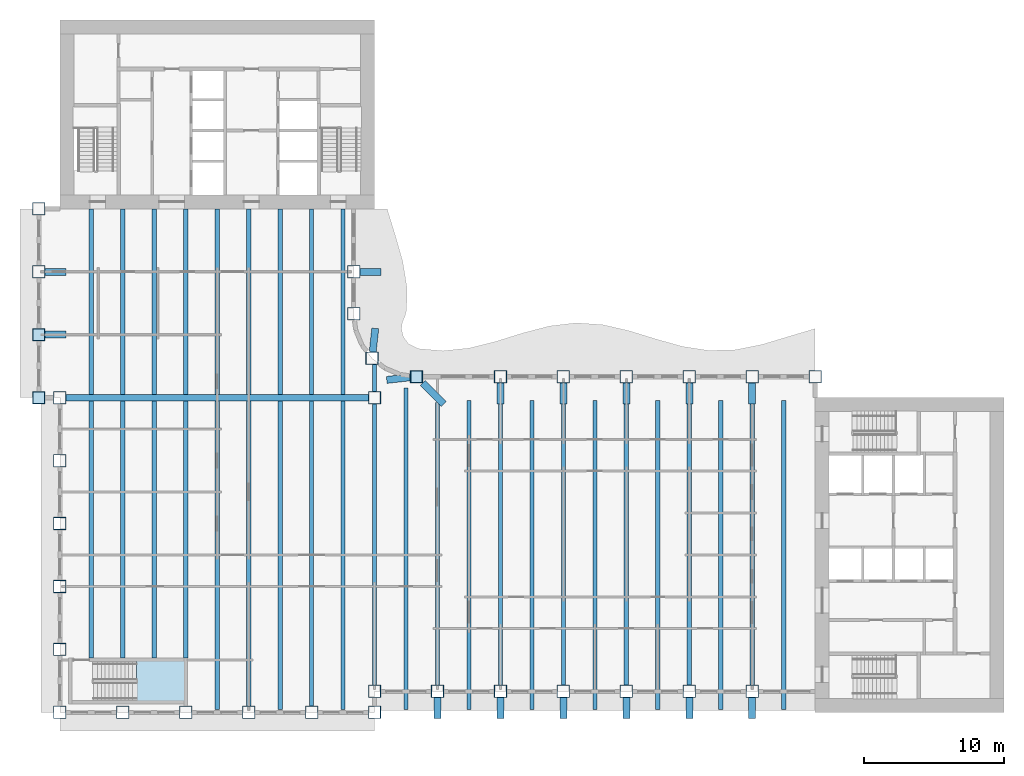
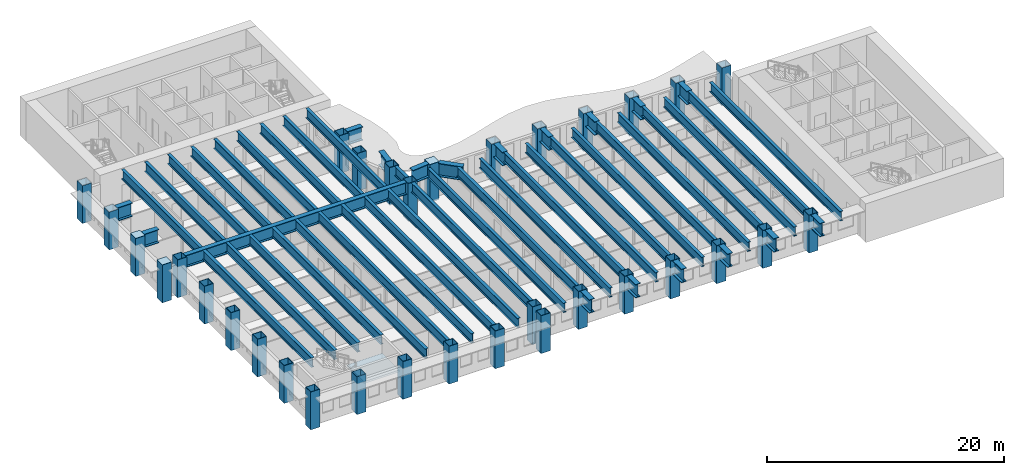
# One storey, part 1 of 16: 51 beams, 33 columns, 3 plates, 1 slab, 1 element without a shape of its own.
"""IFC4 building model written with IfcOpenShell, lengths in metres."""

from ifc_helpers import new_model, si_unit, direction, frame, origin, origin_2d, place, context, subcontext, project, spatial, polyline, rectangle, hollow_rectangle, i_section, outline, extrude, material, layer, layer_set, material_profile, profile_set, type_object, element, aggregate, save


model = new_model("IFC4")

# Units and contexts
model_context = context("Model", 3, precision=1e-05, world=origin(), true_north=direction((0.0, 1.0)))
body_context = subcontext(model_context, "Body", "Model", "MODEL_VIEW")
ifc_project = project(units=[si_unit("LENGTHUNIT", "METRE"), si_unit("AREAUNIT", "SQUARE_METRE"), si_unit("VOLUMEUNIT", "CUBIC_METRE"), si_unit("PLANEANGLEUNIT", "RADIAN"), si_unit("MASSUNIT", "GRAM", prefix="KILO")], contexts=[model_context])

# Site, building, storey
site_placement = place(None, origin())
site = spatial("IfcSite", under=ifc_project, at=site_placement, CompositionType="ELEMENT")
building_placement = place(site_placement, origin())
building = spatial("IfcBuilding", under=site, at=building_placement, Name="Sennacour Bend Tower", CompositionType="ELEMENT")
storey_placement = place(building_placement, frame((0.0, 0.0, 183.0)))
storey = spatial("IfcBuildingStorey", under=building, at=storey_placement, Name="L42", CompositionType="ELEMENT", Elevation=183.0)

# Columns
ifc_material_1 = material(Name="Steel ASTM A572 Grade 50", Category="steel")
ifc_material_profile_1 = material_profile(ifc_material_1, hollow_rectangle(XDim=0.89990234375, YDim=0.89990234375, WallThickness=0.044921875, at=origin_2d()), Name="Steel ASTM A572 Grade 50", Category="steel")
ifc_profile_set_1 = profile_set([ifc_material_profile_1], Name="Steel ASTM A572 Grade 50")
column_type = type_object("IfcColumnType", Name="Box column 900", PredefinedType="COLUMN", material=ifc_profile_set_1)
for number, where, z_axis, x_axis, name in (
    (1, (-1.5, 22.5, -0.14990234375), (0.0, 0.0, 1.0), (1.0, 0.0, 0.0), "Perimeter column C3 L42-001"),
    (2, (-1.5, 27.0, -0.14990234375), (0.0, 0.0, 1.0), (1.0, 0.0, 0.0), "Perimeter column C3 L42-002"),
    (3, (-1.5, 31.5, -0.14990234375), (0.0, 0.0, 1.0), (1.0, 0.0, 0.0), "Perimeter column C3 L42-003"),
    (4, (-1.5, 36.0, -0.14990234375), (0.0, 0.0, 1.0), (1.0, 0.0, 0.0), "Perimeter column C3 L42-004"),
    (5, (0.0, 0.0, -0.14990234375), (0.0, 0.0, 1.0), (1.0, 0.0, 0.0), "Perimeter column C3 L42-005"),
    (6, (0.0, 4.5, -0.14990234375), (0.0, 0.0, 1.0), (1.0, 0.0, 0.0), "Perimeter column C3 L42-006"),
    (7, (0.0, 9.0, -0.14990234375), (0.0, 0.0, 1.0), (1.0, 0.0, 0.0), "Perimeter column C3 L42-007"),
    (8, (0.0, 13.5, -0.14990234375), (0.0, 0.0, 1.0), (1.0, 0.0, 0.0), "Perimeter column C3 L42-008"),
    (9, (0.0, 18.0, -0.14990234375), (0.0, 0.0, 1.0), (1.0, 0.0, 0.0), "Perimeter column C3 L42-009"),
    (10, (0.0, 22.5, -0.14990234375), (0.0, 0.0, 1.0), (1.0, 0.0, 0.0), "Perimeter column C3 L42-010"),
    (11, (4.5, 0.0, -0.14990234375), (0.0, 0.0, 1.0), (1.0, 0.0, 0.0), "Perimeter column C3 L42-011"),
    (12, (9.0, 0.0, -0.14990234375), (0.0, 0.0, 1.0), (1.0, 0.0, 0.0), "Perimeter column C3 L42-012"),
    (13, (13.5, 0.0, -0.14990234375), (0.0, 0.0, 1.0), (1.0, 0.0, 0.0), "Perimeter column C3 L42-013"),
    (14, (18.0, 0.0, -0.14990234375), (0.0, 0.0, 1.0), (1.0, 0.0, 0.0), "Perimeter column C3 L42-014"),
    (15, (21.0, 28.5, -0.14990234375), (0.0, 0.0, 1.0), (1.0, 0.0, 0.0), "Perimeter column C3 L42-015"),
    (16, (21.0, 31.5, -0.14990234375), (0.0, 0.0, 1.0), (1.0, 0.0, 0.0), "Perimeter column C3 L42-016"),
    (17, (22.318115234375, 25.318115234375, -0.14990234375), (0.0, 0.0, 1.0), (1.0, 0.0, 0.0), "Perimeter column C3 L42-017"),
    (18, (22.5, 0.0, -0.14990234375), (0.0, 0.0, 1.0), (1.0, 0.0, 0.0), "Perimeter column C3 L42-018"),
    (19, (22.5, 1.5, -0.14990234375), (0.0, 0.0, 1.0), (1.0, 0.0, 0.0), "Perimeter column C3 L42-019"),
    (20, (22.5, 22.5, -0.14990234375), (0.0, 0.0, 1.0), (1.0, 0.0, 0.0), "Knuckle column C3 L42-020"),
    (21, (25.5, 24.0, -0.14990234375), (0.0, 0.0, 1.0), (1.0, 0.0, 0.0), "Perimeter column C3 L42-021"),
    (22, (27.0, 1.5, -0.14990234375), (0.0, 0.0, 1.0), (1.0, 0.0, 0.0), "Perimeter column C3 L42-022"),
    (23, (31.5, 1.5, -0.14990234375), (0.0, 0.0, 1.0), (1.0, 0.0, 0.0), "Perimeter column C3 L42-023"),
    (24, (31.5, 24.0, -0.14990234375), (0.0, 0.0, 1.0), (1.0, 0.0, 0.0), "Perimeter column C3 L42-024"),
    (25, (36.0, 1.5, -0.14990234375), (0.0, 0.0, 1.0), (1.0, 0.0, 0.0), "Perimeter column C3 L42-025"),
    (26, (36.0, 24.0, -0.14990234375), (0.0, 0.0, 1.0), (1.0, 0.0, 0.0), "Perimeter column C3 L42-026"),
    (27, (40.5, 1.5, -0.14990234375), (0.0, 0.0, 1.0), (1.0, 0.0, 0.0), "Perimeter column C3 L42-027"),
    (28, (40.5, 24.0, -0.14990234375), (0.0, 0.0, 1.0), (1.0, 0.0, 0.0), "Perimeter column C3 L42-028"),
    (29, (45.0, 1.5, -0.14990234375), (0.0, 0.0, 1.0), (1.0, 0.0, 0.0), "Perimeter column C3 L42-029"),
    (30, (45.0, 24.0, -0.14990234375), (0.0, 0.0, 1.0), (1.0, 0.0, 0.0), "Perimeter column C3 L42-030"),
    (31, (49.5, 1.5, -0.14990234375), (0.0, 0.0, 1.0), (1.0, 0.0, 0.0), "Perimeter column C3 L42-031"),
    (32, (49.5, 24.0, -0.14990234375), (0.0, 0.0, 1.0), (1.0, 0.0, 0.0), "Perimeter column C3 L42-032"),
    (33, (54.0, 24.0, -0.14990234375), (0.0, 0.0, 1.0), (1.0, 0.0, 0.0), "Perimeter column C3 L42-033"),
):
    element("IfcColumn", number, at=place(storey_placement, frame(where, z_axis=z_axis, x_axis=x_axis)), inside=storey, type_object=column_type, Name=name, PredefinedType="COLUMN", context=body_context, shape_type="SweptSolid", body=[
        extrude(hollow_rectangle(XDim=0.89990234375, YDim=0.89990234375, WallThickness=0.044921875, at=origin_2d()), origin(), (0.0, 0.0, 1.0), 3.89990234375),
    ])

# Beams
ifc_material_2 = material(Name="Steel ASTM A992 Grade 50", Category="steel")
ifc_material_profile_2 = material_profile(ifc_material_2, i_section(OverallWidth=0.300048828125, OverallDepth=0.97998046875, WebThickness=0.0166015625, FlangeThickness=0.026123046875, FilletRadius=0.02978515625, at=origin_2d()), Name="Steel ASTM A992 Grade 50", Category="steel")
ifc_profile_set_2 = profile_set([ifc_material_profile_2], Name="Steel ASTM A992 Grade 50")
beam_type_1 = type_object("IfcBeamType", Name="Floor beam W1000X249", PredefinedType="BEAM", material=ifc_profile_set_2)
beam_1_placement = place(storey_placement, frame((2.25, 3.875, 3.260009765625), z_axis=(0.0, 1.0, 0.0), x_axis=(-1.0, 0.0, 0.0)))
element("IfcBeam", 34, at=beam_1_placement, inside=storey, type_object=beam_type_1, Name="Floor beam FBM2 L43-001", PredefinedType="BEAM", context=body_context, shape_type="SweptSolid", body=[
    extrude(i_section(OverallWidth=0.300048828125, OverallDepth=0.97998046875, WebThickness=0.0166015625, FlangeThickness=0.026123046875, FilletRadius=0.02978515625, at=origin_2d()), origin(), (0.0, 0.0, 1.0), 18.39990234375),
])
beam_2_placement = place(storey_placement, frame((2.25, 22.72509765625, 3.260009765625), z_axis=(0.0, 1.0, 0.0), x_axis=(-1.0, 0.0, 0.0)))
element("IfcBeam", 35, at=beam_2_placement, inside=storey, type_object=beam_type_1, Name="Floor beam FBM2 L43-002", PredefinedType="BEAM", context=body_context, shape_type="SweptSolid", body=[
    extrude(i_section(OverallWidth=0.300048828125, OverallDepth=0.97998046875, WebThickness=0.0166015625, FlangeThickness=0.026123046875, FilletRadius=0.02978515625, at=origin_2d()), origin(), (0.0, 0.0, 1.0), 13.27490234375),
])
beam_3_placement = place(storey_placement, frame((4.5, 3.875, 3.260009765625), z_axis=(0.0, 1.0, 0.0), x_axis=(-1.0, 0.0, 0.0)))
element("IfcBeam", 36, at=beam_3_placement, inside=storey, type_object=beam_type_1, Name="Floor beam FBM2 L43-003", PredefinedType="BEAM", context=body_context, shape_type="SweptSolid", body=[
    extrude(i_section(OverallWidth=0.300048828125, OverallDepth=0.97998046875, WebThickness=0.0166015625, FlangeThickness=0.026123046875, FilletRadius=0.02978515625, at=origin_2d()), origin(), (0.0, 0.0, 1.0), 18.39990234375),
])
beam_4_placement = place(storey_placement, frame((4.5, 22.72509765625, 3.260009765625), z_axis=(0.0, 1.0, 0.0), x_axis=(-1.0, 0.0, 0.0)))
element("IfcBeam", 37, at=beam_4_placement, inside=storey, type_object=beam_type_1, Name="Floor beam FBM2 L43-004", PredefinedType="BEAM", context=body_context, shape_type="SweptSolid", body=[
    extrude(i_section(OverallWidth=0.300048828125, OverallDepth=0.97998046875, WebThickness=0.0166015625, FlangeThickness=0.026123046875, FilletRadius=0.02978515625, at=origin_2d()), origin(), (0.0, 0.0, 1.0), 13.27490234375),
])
beam_5_placement = place(storey_placement, frame((6.75, 3.875, 3.260009765625), z_axis=(0.0, 1.0, 0.0), x_axis=(-1.0, 0.0, 0.0)))
element("IfcBeam", 38, at=beam_5_placement, inside=storey, type_object=beam_type_1, Name="Floor beam FBM2 L43-005", PredefinedType="BEAM", context=body_context, shape_type="SweptSolid", body=[
    extrude(i_section(OverallWidth=0.300048828125, OverallDepth=0.97998046875, WebThickness=0.0166015625, FlangeThickness=0.026123046875, FilletRadius=0.02978515625, at=origin_2d()), origin(), (0.0, 0.0, 1.0), 18.39990234375),
])
beam_6_placement = place(storey_placement, frame((6.75, 22.72509765625, 3.260009765625), z_axis=(0.0, 1.0, 0.0), x_axis=(-1.0, 0.0, 0.0)))
element("IfcBeam", 39, at=beam_6_placement, inside=storey, type_object=beam_type_1, Name="Floor beam FBM2 L43-006", PredefinedType="BEAM", context=body_context, shape_type="SweptSolid", body=[
    extrude(i_section(OverallWidth=0.300048828125, OverallDepth=0.97998046875, WebThickness=0.0166015625, FlangeThickness=0.026123046875, FilletRadius=0.02978515625, at=origin_2d()), origin(), (0.0, 0.0, 1.0), 13.27490234375),
])
beam_7_placement = place(storey_placement, frame((9.0, 3.875, 3.260009765625), z_axis=(0.0, 1.0, 0.0), x_axis=(-1.0, 0.0, 0.0)))
element("IfcBeam", 40, at=beam_7_placement, inside=storey, type_object=beam_type_1, Name="Floor beam FBM2 L43-007", PredefinedType="BEAM", context=body_context, shape_type="SweptSolid", body=[
    extrude(i_section(OverallWidth=0.300048828125, OverallDepth=0.97998046875, WebThickness=0.0166015625, FlangeThickness=0.026123046875, FilletRadius=0.02978515625, at=origin_2d()), origin(), (0.0, 0.0, 1.0), 18.39990234375),
])
beam_8_placement = place(storey_placement, frame((9.0, 22.72509765625, 3.260009765625), z_axis=(0.0, 1.0, 0.0), x_axis=(-1.0, 0.0, 0.0)))
element("IfcBeam", 41, at=beam_8_placement, inside=storey, type_object=beam_type_1, Name="Floor beam FBM2 L43-008", PredefinedType="BEAM", context=body_context, shape_type="SweptSolid", body=[
    extrude(i_section(OverallWidth=0.300048828125, OverallDepth=0.97998046875, WebThickness=0.0166015625, FlangeThickness=0.026123046875, FilletRadius=0.02978515625, at=origin_2d()), origin(), (0.0, 0.0, 1.0), 13.27490234375),
])
beam_9_placement = place(storey_placement, frame((11.25, 0.20947265625, 3.260009765625), z_axis=(0.0, 1.0, 0.0), x_axis=(-1.0, 0.0, 0.0)))
element("IfcBeam", 42, at=beam_9_placement, inside=storey, type_object=beam_type_1, Name="Floor beam FBM2 L43-009", PredefinedType="BEAM", context=body_context, shape_type="SweptSolid", body=[
    extrude(i_section(OverallWidth=0.300048828125, OverallDepth=0.97998046875, WebThickness=0.0166015625, FlangeThickness=0.026123046875, FilletRadius=0.02978515625, at=origin_2d()), origin(), (0.0, 0.0, 1.0), 22.0654296875),
])
beam_10_placement = place(storey_placement, frame((11.25, 22.72509765625, 3.260009765625), z_axis=(0.0, 1.0, 0.0), x_axis=(-1.0, 0.0, 0.0)))
element("IfcBeam", 43, at=beam_10_placement, inside=storey, type_object=beam_type_1, Name="Floor beam FBM2 L43-010", PredefinedType="BEAM", context=body_context, shape_type="SweptSolid", body=[
    extrude(i_section(OverallWidth=0.300048828125, OverallDepth=0.97998046875, WebThickness=0.0166015625, FlangeThickness=0.026123046875, FilletRadius=0.02978515625, at=origin_2d()), origin(), (0.0, 0.0, 1.0), 13.27490234375),
])
beam_11_placement = place(storey_placement, frame((13.5, 0.449951171875, 3.260009765625), z_axis=(0.0, 1.0, 0.0), x_axis=(-1.0, 0.0, 0.0)))
element("IfcBeam", 44, at=beam_11_placement, inside=storey, type_object=beam_type_1, Name="Floor beam FBM2 L43-011", PredefinedType="BEAM", context=body_context, shape_type="SweptSolid", body=[
    extrude(i_section(OverallWidth=0.300048828125, OverallDepth=0.97998046875, WebThickness=0.0166015625, FlangeThickness=0.026123046875, FilletRadius=0.02978515625, at=origin_2d()), origin(), (0.0, 0.0, 1.0), 21.824951171875),
])
beam_12_placement = place(storey_placement, frame((13.5, 22.72509765625, 3.260009765625), z_axis=(0.0, 1.0, 0.0), x_axis=(-1.0, 0.0, 0.0)))
element("IfcBeam", 45, at=beam_12_placement, inside=storey, type_object=beam_type_1, Name="Floor beam FBM2 L43-012", PredefinedType="BEAM", context=body_context, shape_type="SweptSolid", body=[
    extrude(i_section(OverallWidth=0.300048828125, OverallDepth=0.97998046875, WebThickness=0.0166015625, FlangeThickness=0.026123046875, FilletRadius=0.02978515625, at=origin_2d()), origin(), (0.0, 0.0, 1.0), 13.27490234375),
])
beam_13_placement = place(storey_placement, frame((15.75, 0.20947265625, 3.260009765625), z_axis=(0.0, 1.0, 0.0), x_axis=(-1.0, 0.0, 0.0)))
element("IfcBeam", 46, at=beam_13_placement, inside=storey, type_object=beam_type_1, Name="Floor beam FBM2 L43-013", PredefinedType="BEAM", context=body_context, shape_type="SweptSolid", body=[
    extrude(i_section(OverallWidth=0.300048828125, OverallDepth=0.97998046875, WebThickness=0.0166015625, FlangeThickness=0.026123046875, FilletRadius=0.02978515625, at=origin_2d()), origin(), (0.0, 0.0, 1.0), 22.0654296875),
])
beam_14_placement = place(storey_placement, frame((15.75, 22.72509765625, 3.260009765625), z_axis=(0.0, 1.0, 0.0), x_axis=(-1.0, 0.0, 0.0)))
element("IfcBeam", 47, at=beam_14_placement, inside=storey, type_object=beam_type_1, Name="Floor beam FBM2 L43-014", PredefinedType="BEAM", context=body_context, shape_type="SweptSolid", body=[
    extrude(i_section(OverallWidth=0.300048828125, OverallDepth=0.97998046875, WebThickness=0.0166015625, FlangeThickness=0.026123046875, FilletRadius=0.02978515625, at=origin_2d()), origin(), (0.0, 0.0, 1.0), 13.27490234375),
])
beam_15_placement = place(storey_placement, frame((18.0, 0.449951171875, 3.260009765625), z_axis=(0.0, 1.0, 0.0), x_axis=(-1.0, 0.0, 0.0)))
element("IfcBeam", 48, at=beam_15_placement, inside=storey, type_object=beam_type_1, Name="Floor beam FBM2 L43-015", PredefinedType="BEAM", context=body_context, shape_type="SweptSolid", body=[
    extrude(i_section(OverallWidth=0.300048828125, OverallDepth=0.97998046875, WebThickness=0.0166015625, FlangeThickness=0.026123046875, FilletRadius=0.02978515625, at=origin_2d()), origin(), (0.0, 0.0, 1.0), 21.824951171875),
])
beam_16_placement = place(storey_placement, frame((18.0, 22.72509765625, 3.260009765625), z_axis=(0.0, 1.0, 0.0), x_axis=(-1.0, 0.0, 0.0)))
element("IfcBeam", 49, at=beam_16_placement, inside=storey, type_object=beam_type_1, Name="Floor beam FBM2 L43-016", PredefinedType="BEAM", context=body_context, shape_type="SweptSolid", body=[
    extrude(i_section(OverallWidth=0.300048828125, OverallDepth=0.97998046875, WebThickness=0.0166015625, FlangeThickness=0.026123046875, FilletRadius=0.02978515625, at=origin_2d()), origin(), (0.0, 0.0, 1.0), 13.27490234375),
])
beam_17_placement = place(storey_placement, frame((20.25, 0.20947265625, 3.260009765625), z_axis=(0.0, 1.0, 0.0), x_axis=(-1.0, 0.0, 0.0)))
element("IfcBeam", 50, at=beam_17_placement, inside=storey, type_object=beam_type_1, Name="Floor beam FBM2 L43-017", PredefinedType="BEAM", context=body_context, shape_type="SweptSolid", body=[
    extrude(i_section(OverallWidth=0.300048828125, OverallDepth=0.97998046875, WebThickness=0.0166015625, FlangeThickness=0.026123046875, FilletRadius=0.02978515625, at=origin_2d()), origin(), (0.0, 0.0, 1.0), 22.0654296875),
])
beam_18_placement = place(storey_placement, frame((20.25, 22.72509765625, 3.260009765625), z_axis=(0.0, 1.0, 0.0), x_axis=(-1.0, 0.0, 0.0)))
element("IfcBeam", 51, at=beam_18_placement, inside=storey, type_object=beam_type_1, Name="Floor beam FBM2 L43-018", PredefinedType="BEAM", context=body_context, shape_type="SweptSolid", body=[
    extrude(i_section(OverallWidth=0.300048828125, OverallDepth=0.97998046875, WebThickness=0.0166015625, FlangeThickness=0.026123046875, FilletRadius=0.02978515625, at=origin_2d()), origin(), (0.0, 0.0, 1.0), 13.27490234375),
])
beam_19_placement = place(storey_placement, frame((22.5, 1.949951171875, 3.260009765625), z_axis=(0.0, 1.0, 0.0), x_axis=(-1.0, 0.0, 0.0)))
element("IfcBeam", 52, at=beam_19_placement, inside=storey, type_object=beam_type_1, Name="Floor beam FBM2 L43-019", PredefinedType="BEAM", context=body_context, shape_type="SweptSolid", body=[
    extrude(i_section(OverallWidth=0.300048828125, OverallDepth=0.97998046875, WebThickness=0.0166015625, FlangeThickness=0.026123046875, FilletRadius=0.02978515625, at=origin_2d()), origin(), (0.0, 0.0, 1.0), 20.10009765625),
])
beam_20_placement = place(storey_placement, frame((22.5, 22.949951171875, 3.260009765625), z_axis=(0.0, 1.0, 0.0), x_axis=(-1.0, 0.0, 0.0)))
element("IfcBeam", 53, at=beam_20_placement, inside=storey, type_object=beam_type_1, Name="Floor beam FBM2 L43-020", PredefinedType="BEAM", context=body_context, shape_type="SweptSolid", body=[
    extrude(i_section(OverallWidth=0.300048828125, OverallDepth=0.97998046875, WebThickness=0.0166015625, FlangeThickness=0.026123046875, FilletRadius=0.02978515625, at=origin_2d()), origin(), (0.0, 0.0, 1.0), 1.91796875),
])
beam_21_placement = place(storey_placement, frame((24.75, 0.20947265625, 3.260009765625), z_axis=(0.0, 1.0, 0.0), x_axis=(-1.0, 0.0, 0.0)))
element("IfcBeam", 54, at=beam_21_placement, inside=storey, type_object=beam_type_1, Name="Floor beam FBM2 L43-021", PredefinedType="BEAM", context=body_context, shape_type="SweptSolid", body=[
    extrude(i_section(OverallWidth=0.300048828125, OverallDepth=0.97998046875, WebThickness=0.0166015625, FlangeThickness=0.026123046875, FilletRadius=0.02978515625, at=origin_2d()), origin(), (0.0, 0.0, 1.0), 22.995849609375),
])
beam_22_placement = place(storey_placement, frame((27.0, 1.949951171875, 3.260009765625), z_axis=(0.0, 1.0, 0.0), x_axis=(-1.0, 0.0, 0.0)))
element("IfcBeam", 55, at=beam_22_placement, inside=storey, type_object=beam_type_1, Name="Floor beam FBM2 L43-022", PredefinedType="BEAM", context=body_context, shape_type="SweptSolid", body=[
    extrude(i_section(OverallWidth=0.300048828125, OverallDepth=0.97998046875, WebThickness=0.0166015625, FlangeThickness=0.026123046875, FilletRadius=0.02978515625, at=origin_2d()), origin(), (0.0, 0.0, 1.0), 20.196533203125),
])
beam_23_placement = place(storey_placement, frame((29.25, 0.20947265625, 3.260009765625), z_axis=(0.0, 1.0, 0.0), x_axis=(-1.0, 0.0, 0.0)))
element("IfcBeam", 56, at=beam_23_placement, inside=storey, type_object=beam_type_1, Name="Floor beam FBM2 L43-023", PredefinedType="BEAM", context=body_context, shape_type="SweptSolid", body=[
    extrude(i_section(OverallWidth=0.300048828125, OverallDepth=0.97998046875, WebThickness=0.0166015625, FlangeThickness=0.026123046875, FilletRadius=0.02978515625, at=origin_2d()), origin(), (0.0, 0.0, 1.0), 22.0810546875),
])
beam_24_placement = place(storey_placement, frame((31.5, 1.949951171875, 3.260009765625), z_axis=(0.0, 1.0, 0.0), x_axis=(-1.0, 0.0, 0.0)))
element("IfcBeam", 57, at=beam_24_placement, inside=storey, type_object=beam_type_1, Name="Floor beam FBM2 L43-024", PredefinedType="BEAM", context=body_context, shape_type="SweptSolid", body=[
    extrude(i_section(OverallWidth=0.300048828125, OverallDepth=0.97998046875, WebThickness=0.0166015625, FlangeThickness=0.026123046875, FilletRadius=0.02978515625, at=origin_2d()), origin(), (0.0, 0.0, 1.0), 20.10009765625),
])
beam_25_placement = place(storey_placement, frame((33.75, 0.20947265625, 3.260009765625), z_axis=(0.0, 1.0, 0.0), x_axis=(-1.0, 0.0, 0.0)))
element("IfcBeam", 58, at=beam_25_placement, inside=storey, type_object=beam_type_1, Name="Floor beam FBM2 L43-025", PredefinedType="BEAM", context=body_context, shape_type="SweptSolid", body=[
    extrude(i_section(OverallWidth=0.300048828125, OverallDepth=0.97998046875, WebThickness=0.0166015625, FlangeThickness=0.026123046875, FilletRadius=0.02978515625, at=origin_2d()), origin(), (0.0, 0.0, 1.0), 22.0810546875),
])
beam_26_placement = place(storey_placement, frame((36.0, 1.949951171875, 3.260009765625), z_axis=(0.0, 1.0, 0.0), x_axis=(-1.0, 0.0, 0.0)))
element("IfcBeam", 59, at=beam_26_placement, inside=storey, type_object=beam_type_1, Name="Floor beam FBM2 L43-026", PredefinedType="BEAM", context=body_context, shape_type="SweptSolid", body=[
    extrude(i_section(OverallWidth=0.300048828125, OverallDepth=0.97998046875, WebThickness=0.0166015625, FlangeThickness=0.026123046875, FilletRadius=0.02978515625, at=origin_2d()), origin(), (0.0, 0.0, 1.0), 20.10009765625),
])
beam_27_placement = place(storey_placement, frame((38.25, 0.20947265625, 3.260009765625), z_axis=(0.0, 1.0, 0.0), x_axis=(-1.0, 0.0, 0.0)))
element("IfcBeam", 60, at=beam_27_placement, inside=storey, type_object=beam_type_1, Name="Floor beam FBM2 L43-027", PredefinedType="BEAM", context=body_context, shape_type="SweptSolid", body=[
    extrude(i_section(OverallWidth=0.300048828125, OverallDepth=0.97998046875, WebThickness=0.0166015625, FlangeThickness=0.026123046875, FilletRadius=0.02978515625, at=origin_2d()), origin(), (0.0, 0.0, 1.0), 22.0810546875),
])
beam_28_placement = place(storey_placement, frame((40.5, 1.949951171875, 3.260009765625), z_axis=(0.0, 1.0, 0.0), x_axis=(-1.0, 0.0, 0.0)))
element("IfcBeam", 61, at=beam_28_placement, inside=storey, type_object=beam_type_1, Name="Floor beam FBM2 L43-028", PredefinedType="BEAM", context=body_context, shape_type="SweptSolid", body=[
    extrude(i_section(OverallWidth=0.300048828125, OverallDepth=0.97998046875, WebThickness=0.0166015625, FlangeThickness=0.026123046875, FilletRadius=0.02978515625, at=origin_2d()), origin(), (0.0, 0.0, 1.0), 20.10009765625),
])
beam_29_placement = place(storey_placement, frame((42.75, 0.20947265625, 3.260009765625), z_axis=(0.0, 1.0, 0.0), x_axis=(-1.0, 0.0, 0.0)))
element("IfcBeam", 62, at=beam_29_placement, inside=storey, type_object=beam_type_1, Name="Floor beam FBM2 L43-029", PredefinedType="BEAM", context=body_context, shape_type="SweptSolid", body=[
    extrude(i_section(OverallWidth=0.300048828125, OverallDepth=0.97998046875, WebThickness=0.0166015625, FlangeThickness=0.026123046875, FilletRadius=0.02978515625, at=origin_2d()), origin(), (0.0, 0.0, 1.0), 22.0810546875),
])
beam_30_placement = place(storey_placement, frame((45.0, 1.949951171875, 3.260009765625), z_axis=(0.0, 1.0, 0.0), x_axis=(-1.0, 0.0, 0.0)))
element("IfcBeam", 63, at=beam_30_placement, inside=storey, type_object=beam_type_1, Name="Floor beam FBM2 L43-030", PredefinedType="BEAM", context=body_context, shape_type="SweptSolid", body=[
    extrude(i_section(OverallWidth=0.300048828125, OverallDepth=0.97998046875, WebThickness=0.0166015625, FlangeThickness=0.026123046875, FilletRadius=0.02978515625, at=origin_2d()), origin(), (0.0, 0.0, 1.0), 20.10009765625),
])
beam_31_placement = place(storey_placement, frame((47.25, 0.20947265625, 3.260009765625), z_axis=(0.0, 1.0, 0.0), x_axis=(-1.0, 0.0, 0.0)))
element("IfcBeam", 64, at=beam_31_placement, inside=storey, type_object=beam_type_1, Name="Floor beam FBM2 L43-031", PredefinedType="BEAM", context=body_context, shape_type="SweptSolid", body=[
    extrude(i_section(OverallWidth=0.300048828125, OverallDepth=0.97998046875, WebThickness=0.0166015625, FlangeThickness=0.026123046875, FilletRadius=0.02978515625, at=origin_2d()), origin(), (0.0, 0.0, 1.0), 22.0810546875),
])
beam_32_placement = place(storey_placement, frame((49.5, 1.949951171875, 3.260009765625), z_axis=(0.0, 1.0, 0.0), x_axis=(-1.0, 0.0, 0.0)))
element("IfcBeam", 65, at=beam_32_placement, inside=storey, type_object=beam_type_1, Name="Floor beam FBM2 L43-032", PredefinedType="BEAM", context=body_context, shape_type="SweptSolid", body=[
    extrude(i_section(OverallWidth=0.300048828125, OverallDepth=0.97998046875, WebThickness=0.0166015625, FlangeThickness=0.026123046875, FilletRadius=0.02978515625, at=origin_2d()), origin(), (0.0, 0.0, 1.0), 20.10009765625),
])
beam_33_placement = place(storey_placement, frame((51.75, 0.20947265625, 3.260009765625), z_axis=(0.0, 1.0, 0.0), x_axis=(-1.0, 0.0, 0.0)))
element("IfcBeam", 66, at=beam_33_placement, inside=storey, type_object=beam_type_1, Name="Floor beam FBM2 L43-033", PredefinedType="BEAM", context=body_context, shape_type="SweptSolid", body=[
    extrude(i_section(OverallWidth=0.300048828125, OverallDepth=0.97998046875, WebThickness=0.0166015625, FlangeThickness=0.026123046875, FilletRadius=0.02978515625, at=origin_2d()), origin(), (0.0, 0.0, 1.0), 22.0810546875),
])
ifc_material_profile_3 = material_profile(ifc_material_1, i_section(OverallWidth=0.449951171875, OverallDepth=1.25, WebThickness=0.028076171875, FlangeThickness=0.050048828125, at=origin_2d()), Name="Steel ASTM A572 Grade 50", Category="steel")
ifc_profile_set_3 = profile_set([ifc_material_profile_3], Name="Steel ASTM A572 Grade 50")
beam_type_2 = type_object("IfcBeamType", Name="Knuckle girder 1250", PredefinedType="USERDEFINED", material=ifc_profile_set_3)
beam_34_placement = place(storey_placement, frame((0.449951171875, 22.5, 3.125), z_axis=(1.0, 0.0, 0.0), x_axis=(0.0, 1.0, 0.0)))
element("IfcBeam", 67, at=beam_34_placement, inside=storey, type_object=beam_type_2, Name="Knuckle girder GK L43-001", ObjectType="KNUCKLE GIRDER", PredefinedType="USERDEFINED", context=body_context, shape_type="SweptSolid", body=[
    extrude(i_section(OverallWidth=0.449951171875, OverallDepth=1.25, WebThickness=0.028076171875, FlangeThickness=0.050048828125, at=origin_2d()), origin(), (0.0, 0.0, 1.0), 21.60009765625),
])
ifc_material_profile_4 = material_profile(ifc_material_1, i_section(OverallWidth=0.5, OverallDepth=1.39990234375, WebThickness=0.030029296875, FlangeThickness=0.054931640625, at=origin_2d()), Name="Steel ASTM A572 Grade 50", Category="steel")
ifc_profile_set_4 = profile_set([ifc_material_profile_4], Name="Steel ASTM A572 Grade 50")
beam_type_3 = type_object("IfcBeamType", Name="Transfer stub 1400", PredefinedType="USERDEFINED", material=ifc_profile_set_4)
for number, where, z_axis, x_axis, name in (
    (68, (-1.050048828125, 27.0, 3.050048828125), (1.0, 0.0, 0.0), (0.0, 1.0, 0.0), "Transfer beam TS L43-001"),
    (69, (-1.050048828125, 31.5, 3.050048828125), (1.0, 0.0, 0.0), (0.0, 1.0, 0.0), "Transfer beam TS L43-002"),
):
    element("IfcBeam", number, at=place(storey_placement, frame(where, z_axis=z_axis, x_axis=x_axis)), inside=storey, type_object=beam_type_3, Name=name, ObjectType="TRANSFER BEAM", PredefinedType="USERDEFINED", context=body_context, shape_type="SweptSolid", body=[
        extrude(i_section(OverallWidth=0.5, OverallDepth=1.39990234375, WebThickness=0.030029296875, FlangeThickness=0.054931640625, at=origin_2d()), origin(), (0.0, 0.0, 1.0), 1.5),
    ])
beam_35_placement = place(storey_placement, frame((22.36669921875, 25.76806640625, 3.050048828125), z_axis=(0.107516541636, 0.994203295747, 0.0), x_axis=(-0.994203295747, 0.107516541636, 0.0)))
element("IfcBeam", 70, at=beam_35_placement, inside=storey, type_object=beam_type_3, Name="Transfer beam TS L43-003", ObjectType="TRANSFER BEAM", PredefinedType="USERDEFINED", context=body_context, shape_type="SweptSolid", body=[
    extrude(i_section(OverallWidth=0.5, OverallDepth=1.39990234375, WebThickness=0.030029296875, FlangeThickness=0.054931640625, at=origin_2d()), origin(), (0.0, 0.0, 1.0), 1.691650390625),
])
beam_36_placement = place(storey_placement, frame((21.449951171875, 31.5, 3.050048828125), z_axis=(1.0, 0.0, 0.0), x_axis=(0.0, 1.0, 0.0)))
element("IfcBeam", 71, at=beam_36_placement, inside=storey, type_object=beam_type_3, Name="Transfer beam TS L43-004", ObjectType="TRANSFER BEAM", PredefinedType="USERDEFINED", context=body_context, shape_type="SweptSolid", body=[
    extrude(i_section(OverallWidth=0.5, OverallDepth=1.39990234375, WebThickness=0.030029296875, FlangeThickness=0.054931640625, at=origin_2d()), origin(), (0.0, 0.0, 1.0), 1.5),
])
beam_37_placement = place(storey_placement, frame((25.050048828125, 23.951416015625, 3.050048828125), z_axis=(-0.994189531505, -0.107643743179, 0.0), x_axis=(0.107643743179, -0.994189531505, 0.0)))
element("IfcBeam", 72, at=beam_37_placement, inside=storey, type_object=beam_type_3, Name="Transfer beam TS L43-005", ObjectType="TRANSFER BEAM", PredefinedType="USERDEFINED", context=body_context, shape_type="SweptSolid", body=[
    extrude(i_section(OverallWidth=0.5, OverallDepth=1.39990234375, WebThickness=0.030029296875, FlangeThickness=0.054931640625, at=origin_2d()), origin(), (0.0, 0.0, 1.0), 1.69189453125),
])
beam_38_placement = place(storey_placement, frame((27.0, 1.050048828125, 3.050048828125), z_axis=(0.0, -1.0, 0.0), x_axis=(1.0, 0.0, 0.0)))
element("IfcBeam", 73, at=beam_38_placement, inside=storey, type_object=beam_type_3, Name="Transfer beam TS L43-006", ObjectType="TRANSFER BEAM", PredefinedType="USERDEFINED", context=body_context, shape_type="SweptSolid", body=[
    extrude(i_section(OverallWidth=0.5, OverallDepth=1.39990234375, WebThickness=0.030029296875, FlangeThickness=0.054931640625, at=origin_2d()), origin(), (0.0, 0.0, 1.0), 1.5),
])
beam_39_placement = place(storey_placement, frame((25.949951171875, 23.550048828125, 3.050048828125), z_axis=(0.707106781187, -0.707106781187, 0.0), x_axis=(0.707106781187, 0.707106781187, 0.0)))
element("IfcBeam", 74, at=beam_39_placement, inside=storey, type_object=beam_type_3, Name="Transfer beam TS L43-007", ObjectType="TRANSFER BEAM", PredefinedType="USERDEFINED", context=body_context, shape_type="SweptSolid", body=[
    extrude(i_section(OverallWidth=0.5, OverallDepth=1.39990234375, WebThickness=0.030029296875, FlangeThickness=0.054931640625, at=origin_2d()), origin(), (0.0, 0.0, 1.0), 2.121337890625),
])
for number, where, z_axis, x_axis, name in (
    (75, (31.5, 1.050048828125, 3.050048828125), (0.0, -1.0, 0.0), (1.0, 0.0, 0.0), "Transfer beam TS L43-008"),
    (76, (31.5, 23.550048828125, 3.050048828125), (0.0, -1.0, 0.0), (1.0, 0.0, 0.0), "Transfer beam TS L43-009"),
    (77, (36.0, 1.050048828125, 3.050048828125), (0.0, -1.0, 0.0), (1.0, 0.0, 0.0), "Transfer beam TS L43-010"),
    (78, (36.0, 23.550048828125, 3.050048828125), (0.0, -1.0, 0.0), (1.0, 0.0, 0.0), "Transfer beam TS L43-011"),
    (79, (40.5, 1.050048828125, 3.050048828125), (0.0, -1.0, 0.0), (1.0, 0.0, 0.0), "Transfer beam TS L43-012"),
    (80, (40.5, 23.550048828125, 3.050048828125), (0.0, -1.0, 0.0), (1.0, 0.0, 0.0), "Transfer beam TS L43-013"),
    (81, (45.0, 1.050048828125, 3.050048828125), (0.0, -1.0, 0.0), (1.0, 0.0, 0.0), "Transfer beam TS L43-014"),
    (82, (45.0, 23.550048828125, 3.050048828125), (0.0, -1.0, 0.0), (1.0, 0.0, 0.0), "Transfer beam TS L43-015"),
    (83, (49.5, 1.050048828125, 3.050048828125), (0.0, -1.0, 0.0), (1.0, 0.0, 0.0), "Transfer beam TS L43-016"),
    (84, (49.5, 23.550048828125, 3.050048828125), (0.0, -1.0, 0.0), (1.0, 0.0, 0.0), "Transfer beam TS L43-017"),
):
    element("IfcBeam", number, at=place(storey_placement, frame(where, z_axis=z_axis, x_axis=x_axis)), inside=storey, type_object=beam_type_3, Name=name, ObjectType="TRANSFER BEAM", PredefinedType="USERDEFINED", context=body_context, shape_type="SweptSolid", body=[
        extrude(i_section(OverallWidth=0.5, OverallDepth=1.39990234375, WebThickness=0.030029296875, FlangeThickness=0.054931640625, at=origin_2d()), origin(), (0.0, 0.0, 1.0), 1.5),
    ])

# Plates
ifc_layer_1 = layer(ifc_material_1, 0.02490234375, Name="Steel ASTM A572 Grade 50", Category="steel")
ifc_layer_set_1 = layer_set([ifc_layer_1], Name="Steel ASTM A572 Grade 50")
plate_type = type_object("IfcPlateType", Name="Column cap plate 900", PredefinedType="USERDEFINED", material=ifc_layer_set_1)
for number, where, z_axis, x_axis, name in (
    (85, (-1.5, 22.5, 3.75), (0.0, 0.0, 1.0), (1.0, 0.0, 0.0), "Column cap plate L42-001"),
    (86, (-1.5, 27.0, 3.75), (0.0, 0.0, 1.0), (1.0, 0.0, 0.0), "Column cap plate L42-002"),
    (87, (25.5, 24.0, 3.75), (0.0, 0.0, 1.0), (1.0, 0.0, 0.0), "Column cap plate L42-021"),
):
    element("IfcPlate", number, at=place(storey_placement, frame(where, z_axis=z_axis, x_axis=x_axis)), inside=storey, type_object=plate_type, Name=name, ObjectType="END PLATE", PredefinedType="USERDEFINED", context=body_context, shape_type="SweptSolid", body=[
        extrude(rectangle(XDim=0.89990234375, YDim=0.89990234375, at=origin_2d()), origin(), (0.0, 0.0, 1.0), 0.02490234375),
    ])

# Stair, slab
ifc_material_3 = material(Name="Concrete C40/50", Category="concrete")
stair_type = type_object("IfcStairType", Name="ST-DOGLEG", PredefinedType="HALF_TURN_STAIR", material=ifc_material_3)
stair_placement = place(storey_placement, origin())
stair = element("IfcStair", 88, at=stair_placement, inside=storey, type_object=stair_type, Name="L42 Exit stair K1", PredefinedType="HALF_TURN_STAIR")
ifc_layer_2 = layer(ifc_material_3, 0.199951171875, Name="Concrete C40/50", Category="concrete")
ifc_layer_set_2 = layer_set([ifc_layer_2], Name="Concrete C40/50")
slab_type = type_object("IfcSlabType", Name="Stair landing 200", PredefinedType="LANDING", material=ifc_layer_set_2)
slab_placement = place(storey_placement, frame((0.0, 0.0, 1.800048828125)))
slab = element("IfcSlab", 89, at=slab_placement, type_object=slab_type, Name="SK1 landing 1", PredefinedType="LANDING", context=body_context, shape_type="SweptSolid", body=[
    extrude(outline(polyline([(5.47998046875, 0.800048828125), (8.925048828125, 0.800048828125), (8.925048828125, 3.675048828125), (5.47998046875, 3.675048828125), (5.47998046875, 0.800048828125)])), origin(), (0.0, 0.0, 1.0), 0.199951171875),
])
aggregate(stair, [slab])

save(model, "model.ifc")
